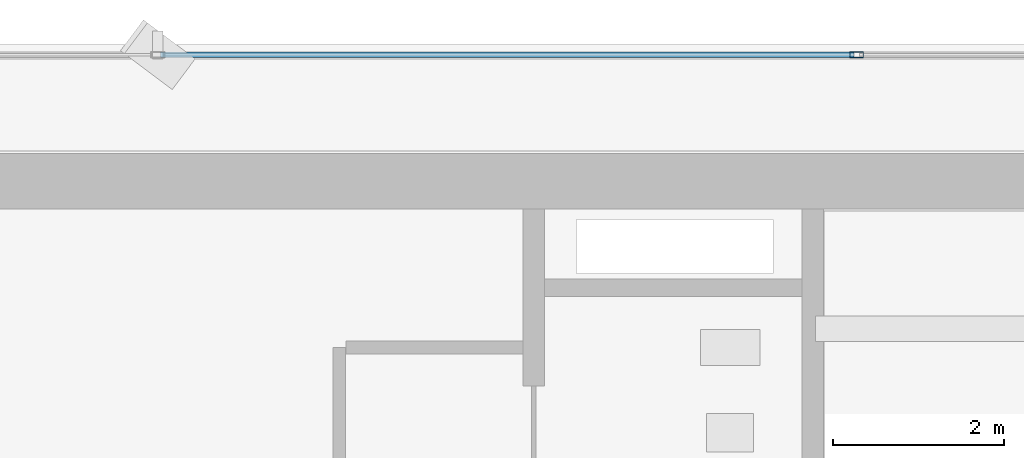
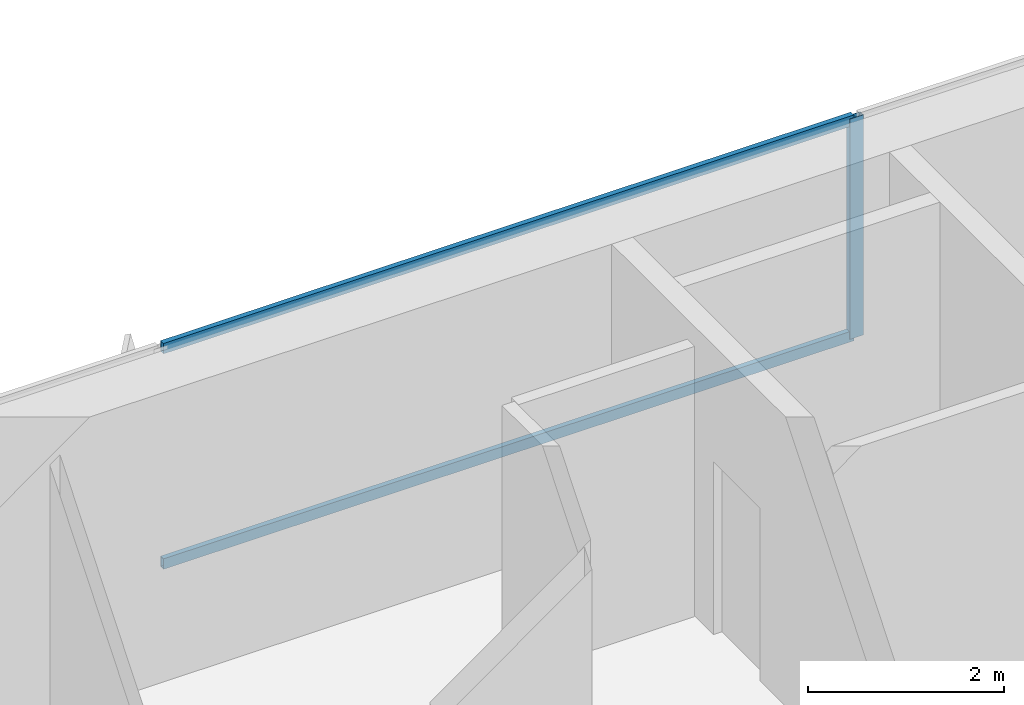
# One storey, part 25 of 37: 3 members, 1 element without a shape of its own.
"""IFC4 building model written with IfcOpenShell, lengths in metres."""

from ifc_helpers import new_model, si_unit, direction, frame, origin, origin_2d, place, context, subcontext, project, spatial, hollow_rectangle, extrude, source, transform, mapped, material, layer, layer_set, material_profile, profile_set, type_object, element, aggregate, save


model = new_model("IFC4")

# Units and contexts
model_context = context("Model", 3, precision=1e-05, world=origin(), true_north=direction((0.0, 1.0)))
body_context = subcontext(model_context, "Body", "Model", "MODEL_VIEW")
ifc_project = project(units=[si_unit("LENGTHUNIT", "METRE"), si_unit("AREAUNIT", "SQUARE_METRE"), si_unit("VOLUMEUNIT", "CUBIC_METRE"), si_unit("PLANEANGLEUNIT", "RADIAN"), si_unit("MASSUNIT", "GRAM", prefix="KILO")], contexts=[model_context])

# Site, building, storey
site_placement = place(None, origin())
site = spatial("IfcSite", under=ifc_project, at=site_placement, CompositionType="ELEMENT")
building_placement = place(site_placement, origin())
building = spatial("IfcBuilding", under=site, at=building_placement, Name="Sumidabori Civic Tower", CompositionType="ELEMENT")
storey_placement = place(building_placement, frame((0.0, 0.0, 117.199951171875)))
storey = spatial("IfcBuildingStorey", under=building, at=storey_placement, Name="L30", CompositionType="ELEMENT", Elevation=117.199951171875)

# Curtain wall, members
ifc_material = material(Name="Anodised Bronze Aluminium AW-6063-T6", Category="aluminium")
ifc_layer = layer(ifc_material, 0.179931640625, Name="Anodised Bronze Aluminium AW-6063-T6")
ifc_layer_set = layer_set([ifc_layer], Name="Anodised Bronze Aluminium AW-6063-T6")
curtain_wall_type = type_object("IfcCurtainWallType", Name="CW-SYS-3", PredefinedType="NOTDEFINED", material=ifc_layer_set)
curtain_wall_placement = place(storey_placement, origin())
curtain_wall = element("IfcCurtainWall", 1, at=curtain_wall_placement, inside=storey, type_object=curtain_wall_type, Name="Curtain Wall CW:L30:R07", PredefinedType="NOTDEFINED")
ifc_material_profile_1 = material_profile(ifc_material, hollow_rectangle(XDim=0.06494140625, YDim=0.159912109375, WallThickness=0.0048828125, at=origin_2d()), Name="ALU MULLION 160x65")
ifc_profile_set_1 = profile_set([ifc_material_profile_1], Name="Anodised Bronze Aluminium AW-6063-T6")
member_type_1 = type_object("IfcMemberType", Name="CW-MUL-160", PredefinedType="MULLION", material=ifc_profile_set_1)
shared_shape_1 = source(origin(), body_context, "Body", "SweptSolid", [
    extrude(hollow_rectangle(XDim=0.06494140625, YDim=0.159912109375, WallThickness=0.0048828125, at=origin_2d()), origin(), (0.0, 0.0, 1.0), 2.739990234375),
])
member_1_placement = place(storey_placement, frame((12.281982421875, 25.280029296875, 0.0), z_axis=(0.0, 0.0, 1.0), x_axis=(0.0, -1.0, 0.0)))
member_1 = element("IfcMember", 2, at=member_1_placement, type_object=member_type_1, Name="CW-3 mullion 2", PredefinedType="MULLION", context=body_context, shape_type="MappedRepresentation", body=[
    mapped(shared_shape_1, transform((0.0, 0.0, 0.0), x_axis=(1.0, 0.0, 0.0), y_axis=(0.0, 1.0, 0.0), z_axis=(0.0, 0.0, 1.0), scale=1.0)),
])
ifc_material_profile_2 = material_profile(ifc_material, hollow_rectangle(XDim=0.06005859375, YDim=0.1298828125, WallThickness=0.0048828125, at=origin_2d()), Name="ALU TRANSOM 130x60")
ifc_profile_set_2 = profile_set([ifc_material_profile_2], Name="Anodised Bronze Aluminium AW-6063-T6")
member_type_2 = type_object("IfcMemberType", Name="CW-TRN-130", PredefinedType="USERDEFINED", material=ifc_profile_set_2)
shared_shape_2 = source(origin(), body_context, "Body", "SweptSolid", [
    extrude(hollow_rectangle(XDim=0.06005859375, YDim=0.1298828125, WallThickness=0.0048828125, at=origin_2d()), origin(), (0.0, 0.0, 1.0), 8.123046875),
])
member_2_placement = place(storey_placement, frame((12.24951171875, 25.280029296875, 0.030029296875), z_axis=(-1.0, 0.0, 0.0), x_axis=(0.0, -1.0, 0.0)))
member_2 = element("IfcMember", 3, at=member_2_placement, type_object=member_type_2, Name="CW-3 transom 2.1", ObjectType="TRANSOM", PredefinedType="USERDEFINED", context=body_context, shape_type="MappedRepresentation", body=[
    mapped(shared_shape_2, transform((0.0, 0.0, 0.0), x_axis=(1.0, 0.0, 0.0), y_axis=(0.0, 1.0, 0.0), z_axis=(0.0, 0.0, 1.0), scale=1.0)),
])
member_3_placement = place(storey_placement, frame((12.24951171875, 25.280029296875, 2.7099609375), z_axis=(-1.0, 0.0, 0.0), x_axis=(0.0, -1.0, 0.0)))
member_3 = element("IfcMember", 4, at=member_3_placement, type_object=member_type_2, Name="CW-3 transom 2.2", ObjectType="TRANSOM", PredefinedType="USERDEFINED", context=body_context, shape_type="MappedRepresentation", body=[
    mapped(shared_shape_2, transform((0.0, 0.0, 0.0), x_axis=(1.0, 0.0, 0.0), y_axis=(0.0, 1.0, 0.0), z_axis=(0.0, 0.0, 1.0), scale=1.0)),
])
aggregate(curtain_wall, [member_1, member_2, member_3])

save(model, "model.ifc")
